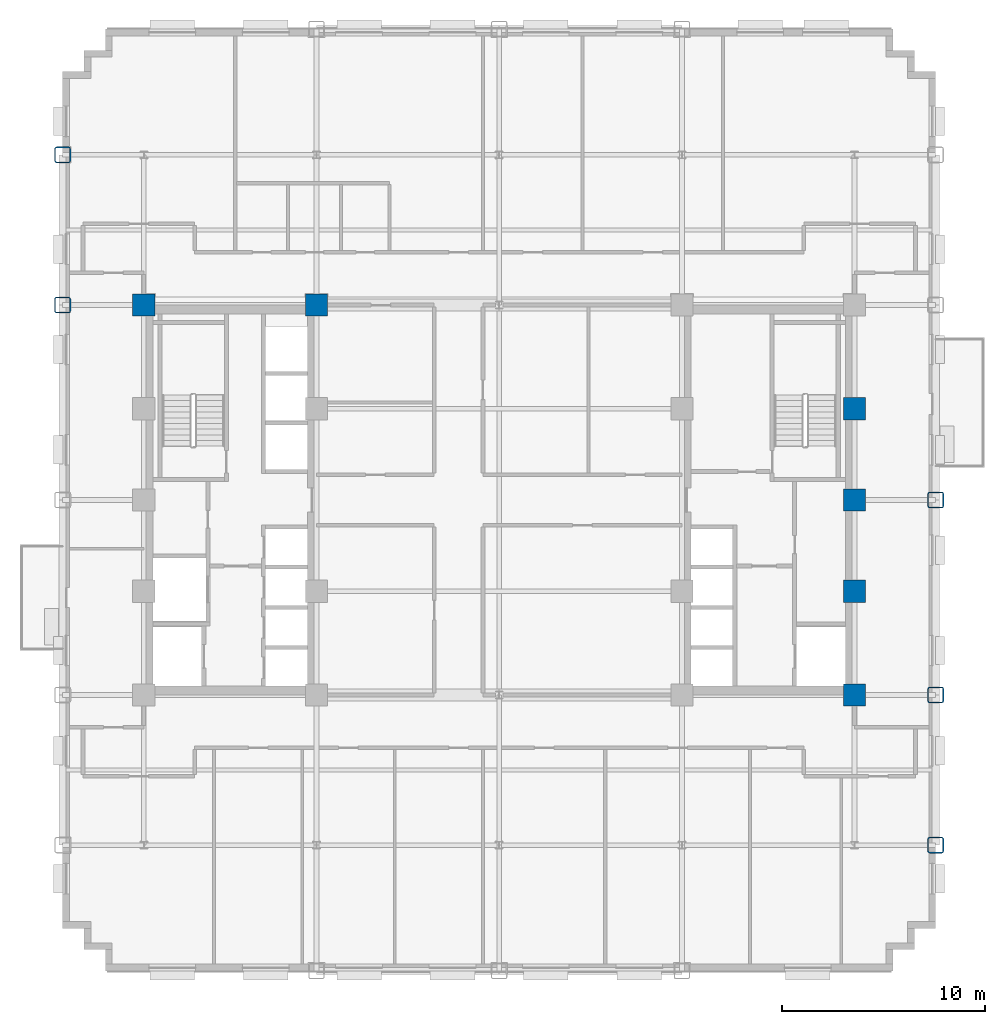
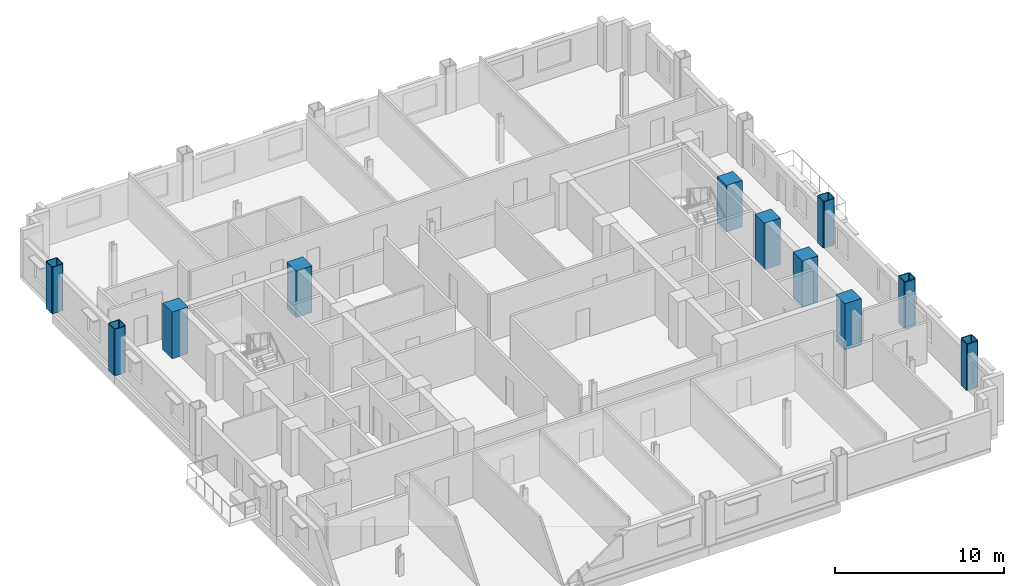
# One storey, part 2 of 14: 11 columns.
"""IFC4 building model written with IfcOpenShell, lengths in metres."""

from ifc_helpers import new_model, si_unit, direction, frame, origin, origin_2d, place, context, subcontext, project, spatial, rectangle, hollow_rectangle, extrude, material, material_profile, profile_set, type_object, element, save


model = new_model("IFC4")

# Units and contexts
model_context = context("Model", 3, precision=1e-05, world=origin(), true_north=direction((0.0, 1.0)))
body_context = subcontext(model_context, "Body", "Model", "MODEL_VIEW")
ifc_project = project(units=[si_unit("LENGTHUNIT", "METRE"), si_unit("AREAUNIT", "SQUARE_METRE"), si_unit("VOLUMEUNIT", "CUBIC_METRE"), si_unit("PLANEANGLEUNIT", "RADIAN"), si_unit("MASSUNIT", "GRAM", prefix="KILO")], contexts=[model_context])

# Site, building, storey
site_placement = place(None, origin())
site = spatial("IfcSite", under=ifc_project, at=site_placement, CompositionType="ELEMENT")
building_placement = place(site_placement, origin())
building = spatial("IfcBuilding", under=site, at=building_placement, Name="Nuvemarco Arch Tower", CompositionType="ELEMENT")
storey_placement = place(building_placement, frame((0.0, 0.0, 71.39990234375)))
storey = spatial("IfcBuildingStorey", under=building, at=storey_placement, Name="L18", CompositionType="ELEMENT", Elevation=71.39990234375)

# Columns
ifc_material_1 = material(Name="Concrete C60/75", Category="concrete")
ifc_material_profile_1 = material_profile(ifc_material_1, rectangle(XDim=1.10009765625, YDim=1.10009765625, at=origin_2d()), Name="RC-COL-1100x1100")
ifc_profile_set_1 = profile_set([ifc_material_profile_1], Name="Concrete C60/75")
column_type_1 = type_object("IfcColumnType", Name="COL-CORE-1100", PredefinedType="COLUMN", material=ifc_profile_set_1)
for number, where, z_axis, x_axis, name in (
    (1, (-17.5, 9.60009765625, 0.0), (0.0, 0.0, 1.0), (1.0, 0.0, 0.0), "L18 column CC_-17.5_+9.6"),
    (2, (-9.0, 9.60009765625, 0.0), (0.0, 0.0, 1.0), (1.0, 0.0, 0.0), "L18 column CC_-9.0_+9.6"),
    (3, (17.5, -9.60009765625, 0.0), (0.0, 0.0, 1.0), (1.0, 0.0, 0.0), "L18 column CC_+17.5_-9.6"),
    (4, (17.5, -4.5, 0.0), (0.0, 0.0, 1.0), (1.0, 0.0, 0.0), "L18 column CC_+17.5_-4.5"),
    (5, (17.5, 4.5, 0.0), (0.0, 0.0, 1.0), (1.0, 0.0, 0.0), "L18 column CC_+17.5_+4.5"),
    (6, (17.5, 0.0, 0.0), (0.0, 0.0, 1.0), (1.0, 0.0, 0.0), "L18 column CC_+17.5_+0.0"),
):
    element("IfcColumn", number, at=place(storey_placement, frame(where, z_axis=z_axis, x_axis=x_axis)), inside=storey, type_object=column_type_1, Name=name, PredefinedType="COLUMN", context=body_context, shape_type="SweptSolid", body=[
        extrude(rectangle(XDim=1.10009765625, YDim=1.10009765625, at=origin_2d()), origin(), (0.0, 0.0, 1.0), 3.3701171875),
    ])
ifc_material_2 = material(Name="Steel S460", Category="steel")
ifc_material_profile_2 = material_profile(ifc_material_2, hollow_rectangle(XDim=0.800048828125, YDim=0.800048828125, WallThickness=0.054931640625, InnerFilletRadius=0.054931640625, OuterFilletRadius=0.110107421875, at=origin_2d()), Name="SHS800x800x55")
ifc_profile_set_2 = profile_set([ifc_material_profile_2], Name="Steel S460")
column_type_2 = type_object("IfcColumnType", Name="COL-EXO-800", PredefinedType="COLUMN", material=ifc_profile_set_2)
for number, where, z_axis, x_axis, name in (
    (7, (-21.5, 9.60009765625, 0.0), (0.0, 0.0, 1.0), (1.0, 0.0, 0.0), "L18 column CX_-21.5_+9.6"),
    (8, (-21.5, 17.0, 0.0), (0.0, 0.0, 1.0), (1.0, 0.0, 0.0), "L18 column CX_-21.5_+17.0"),
    (9, (21.5, -17.0, 0.0), (0.0, 0.0, 1.0), (1.0, 0.0, 0.0), "L18 column CX_+21.5_-17.0"),
    (10, (21.5, -9.60009765625, 0.0), (0.0, 0.0, 1.0), (1.0, 0.0, 0.0), "L18 column CX_+21.5_-9.6"),
    (11, (21.5, 0.0, 0.0), (0.0, 0.0, 1.0), (1.0, 0.0, 0.0), "L18 column CX_+21.5_+0.0"),
):
    element("IfcColumn", number, at=place(storey_placement, frame(where, z_axis=z_axis, x_axis=x_axis)), inside=storey, type_object=column_type_2, Name=name, PredefinedType="COLUMN", context=body_context, shape_type="SweptSolid", body=[
        extrude(hollow_rectangle(XDim=0.800048828125, YDim=0.800048828125, WallThickness=0.054931640625, InnerFilletRadius=0.054931640625, OuterFilletRadius=0.110107421875, at=origin_2d()), origin(), (0.0, 0.0, 1.0), 3.3701171875),
    ])

save(model, "model.ifc")
